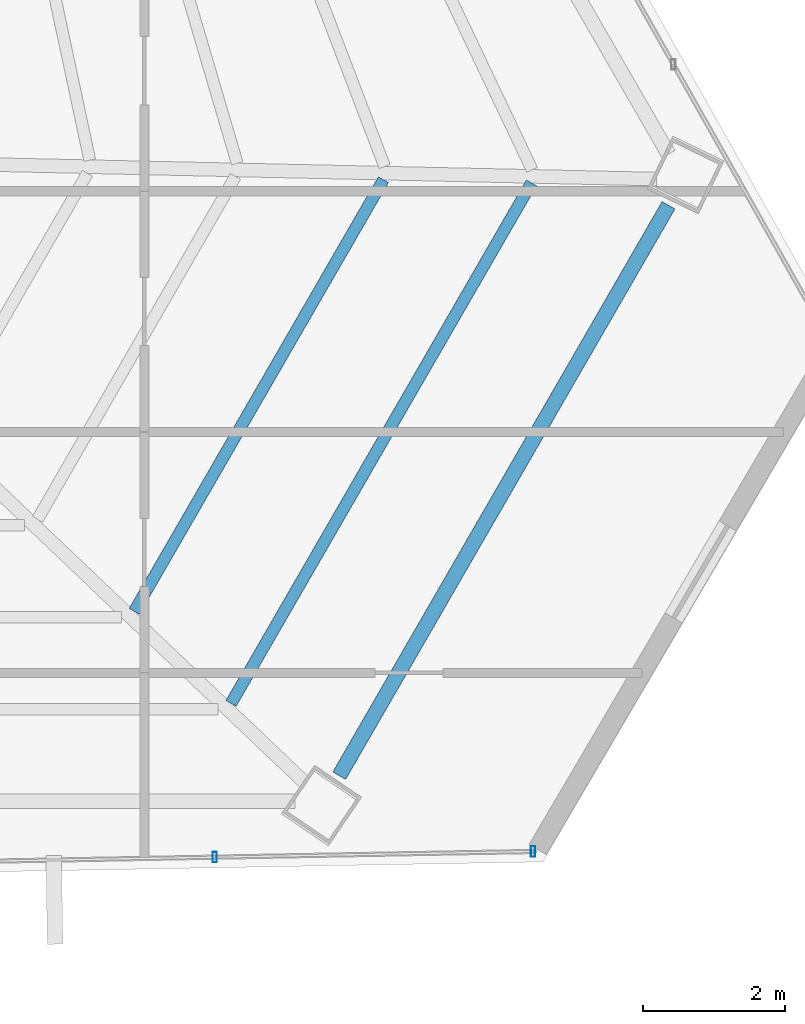
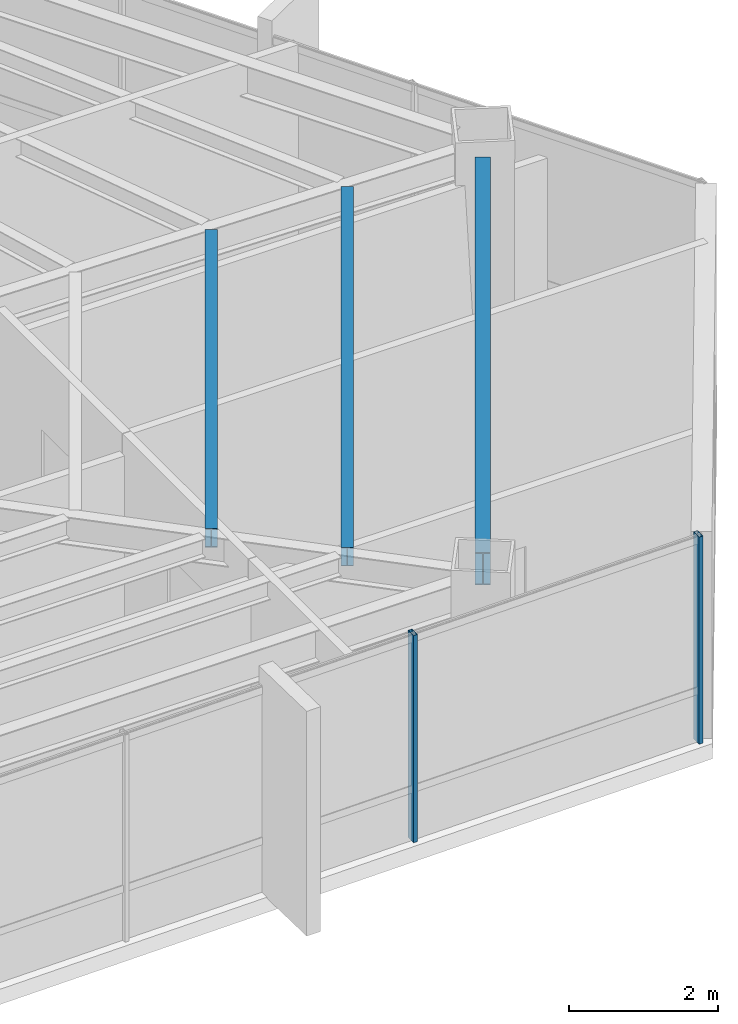
# One storey, part 20 of 42: 3 beams, 2 members, 1 element without a shape of its own.
"""IFC4 building model written with IfcOpenShell, lengths in metres."""

from ifc_helpers import new_model, si_unit, direction, frame, origin, origin_2d, place, context, subcontext, project, spatial, hollow_rectangle, i_section, extrude, source, transform, mapped, material, material_profile, profile_set, type_object, type_shapes, element, aggregate, save


model = new_model("IFC4")

# Units and contexts
model_context = context("Model", 3, precision=1e-05, world=origin(), true_north=direction((0.0, 1.0)))
body_context = subcontext(model_context, "Body", "Model", "MODEL_VIEW")
ifc_project = project(units=[si_unit("LENGTHUNIT", "METRE"), si_unit("AREAUNIT", "SQUARE_METRE"), si_unit("VOLUMEUNIT", "CUBIC_METRE"), si_unit("PLANEANGLEUNIT", "RADIAN"), si_unit("MASSUNIT", "GRAM", prefix="KILO")], contexts=[model_context])

# Site, building, storey
site_placement = place(None, origin())
site = spatial("IfcSite", under=ifc_project, at=site_placement, CompositionType="ELEMENT")
building_placement = place(site_placement, origin())
building = spatial("IfcBuilding", under=site, at=building_placement, Name="Caelisora Broadcast Tower", CompositionType="ELEMENT")
storey_placement = place(building_placement, frame((0.0, 0.0, 202.300048828125)))
storey = spatial("IfcBuildingStorey", under=building, at=storey_placement, Name="L53", CompositionType="ELEMENT", Elevation=202.300048828125)

# Beams
ifc_material_1 = material(Name="Steel Grade 350 (AS/NZS 3679.1)", Category="steel")
ifc_material_profile_1 = material_profile(ifc_material_1, i_section(OverallWidth=0.208984375, OverallDepth=0.532958984375, WebThickness=0.01025390625, FlangeThickness=0.015625, at=origin_2d()), Name="Steel Grade 350 (AS/NZS 3679.1)")
ifc_profile_set_1 = profile_set([ifc_material_profile_1], Name="Steel Grade 350 (AS/NZS 3679.1)")
beam_type_1 = type_object("IfcBeamType", Name="PG05", PredefinedType="BEAM", material=ifc_profile_set_1)
shared_shape_1 = source(origin(), body_context, "Body", "SweptSolid", [
    extrude(i_section(OverallWidth=0.208984375, OverallDepth=0.532958984375, WebThickness=0.01025390625, FlangeThickness=0.015625, at=origin_2d()), origin(), (0.0, 0.0, 1.0), 9.270263671875),
])
type_shapes(beam_type_1, [shared_shape_1])
beam_1_placement = place(storey_placement, frame((55.242431640625, 8.69287109375, 3.133544921875), z_axis=(0.499988420318, 0.866032089214, 0.0), x_axis=(-0.866032089214, 0.499988420318, 0.0)))
element("IfcBeam", 1, at=beam_1_placement, inside=storey, type_object=beam_type_1, Name="L53 beam PG05", PredefinedType="BEAM", context=body_context, shape_type="MappedRepresentation", body=[
    mapped(shared_shape_1, transform((0.0, 0.0, 0.0), scale=1.0)),
])
ifc_material_profile_2 = material_profile(ifc_material_1, i_section(OverallWidth=0.166015625, OverallDepth=0.30712890625, WebThickness=0.006591796875, FlangeThickness=0.01171875, at=origin_2d()), Name="Steel Grade 350 (AS/NZS 3679.1)")
ifc_profile_set_2 = profile_set([ifc_material_profile_2], Name="Steel Grade 350 (AS/NZS 3679.1)")
beam_type_2 = type_object("IfcBeamType", Name="SB03", PredefinedType="JOIST", material=ifc_profile_set_2)
shared_shape_2 = source(origin(), body_context, "Body", "SweptSolid", [
    extrude(i_section(OverallWidth=0.166015625, OverallDepth=0.30712890625, WebThickness=0.006591796875, FlangeThickness=0.01171875, at=origin_2d()), origin(), (0.0, 0.0, 1.0), 7.014892578125),
])
beam_2_placement = place(storey_placement, frame((52.35791015625, 11.005615234375, 3.246337890625), z_axis=(0.49997953314, 0.866037220009, 0.0), x_axis=(-0.866037220009, 0.49997953314, 0.0)))
element("IfcBeam", 2, at=beam_2_placement, inside=storey, type_object=beam_type_2, Name="L53 beam SB03", PredefinedType="JOIST", context=body_context, shape_type="MappedRepresentation", body=[
    mapped(shared_shape_2, transform((0.0, 0.0, 0.0), scale=1.0)),
])
shared_shape_3 = source(origin(), body_context, "Body", "SweptSolid", [
    extrude(i_section(OverallWidth=0.166015625, OverallDepth=0.30712890625, WebThickness=0.006591796875, FlangeThickness=0.01171875, at=origin_2d()), origin(), (0.0, 0.0, 1.0), 8.4580078125),
])
type_shapes(beam_type_2, [shared_shape_2, shared_shape_3])
beam_3_placement = place(storey_placement, frame((53.719970703125, 9.71044921875, 3.246337890625), z_axis=(0.499994801602, 0.86602840506, 0.0), x_axis=(-0.86602840506, 0.499994801602, 0.0)))
element("IfcBeam", 3, at=beam_3_placement, inside=storey, type_object=beam_type_2, Name="L53 beam SB03", PredefinedType="JOIST", context=body_context, shape_type="MappedRepresentation", body=[
    mapped(shared_shape_3, transform((0.0, 0.0, 0.0), scale=1.0)),
])

# Curtain wall, members
ifc_material_2 = material(Name="Unitised Aluminium and Low-E Glass Curtain Wall", Category="glass")
curtain_wall_type = type_object("IfcCurtainWallType", Name="CW-Z4", PredefinedType="NOTDEFINED", material=ifc_material_2)
curtain_wall_placement = place(storey_placement, origin())
curtain_wall = element("IfcCurtainWall", 4, at=curtain_wall_placement, inside=storey, type_object=curtain_wall_type, Name="L53 curtain wall CW-Z4", PredefinedType="NOTDEFINED")
ifc_material_3 = material(Name="Aluminium 6063-T6 Anodised Terracotta Bronze", Category="aluminium")
ifc_material_profile_3 = material_profile(ifc_material_3, hollow_rectangle(XDim=0.06005859375, YDim=0.14990234375, WallThickness=0.00341796875, at=origin_2d()), Name="Aluminium 6063-T6 Anodised Terracotta Bronze")
ifc_profile_set_3 = profile_set([ifc_material_profile_3], Name="Aluminium 6063-T6 Anodised Terracotta Bronze")
member_type = type_object("IfcMemberType", Name="CWM-03", PredefinedType="MULLION", material=ifc_profile_set_3)
shared_shape_4 = source(origin(), body_context, "Body", "SweptSolid", [
    extrude(hollow_rectangle(XDim=0.06005859375, YDim=0.14990234375, WallThickness=0.00341796875, at=origin_2d()), origin(), (0.0, 0.0, 1.0), 3.39990234375),
])
type_shapes(member_type, [shared_shape_4])
member_1_placement = place(storey_placement, frame((57.969970703125, 7.626220703125, 0.0), z_axis=(0.0, 0.0, 1.0), x_axis=(1.0, 0.0, 0.0)))
member_1 = element("IfcMember", 5, at=member_1_placement, type_object=member_type, Name="L53-CW-B05 mullion #0", PredefinedType="MULLION", context=body_context, shape_type="MappedRepresentation", body=[
    mapped(shared_shape_4, transform((0.0, 0.0, 0.0), scale=1.0)),
])
member_2_placement = place(storey_placement, frame((53.49072265625, 7.546142578125, 0.0), z_axis=(0.0, 0.0, 1.0), x_axis=(1.0, 0.0, 0.0)))
member_2 = element("IfcMember", 6, at=member_2_placement, type_object=member_type, Name="L53-CW-B05 mullion #1", PredefinedType="MULLION", context=body_context, shape_type="MappedRepresentation", body=[
    mapped(shared_shape_4, transform((0.0, 0.0, 0.0), scale=1.0)),
])
aggregate(curtain_wall, [member_1, member_2])

save(model, "model.ifc")
